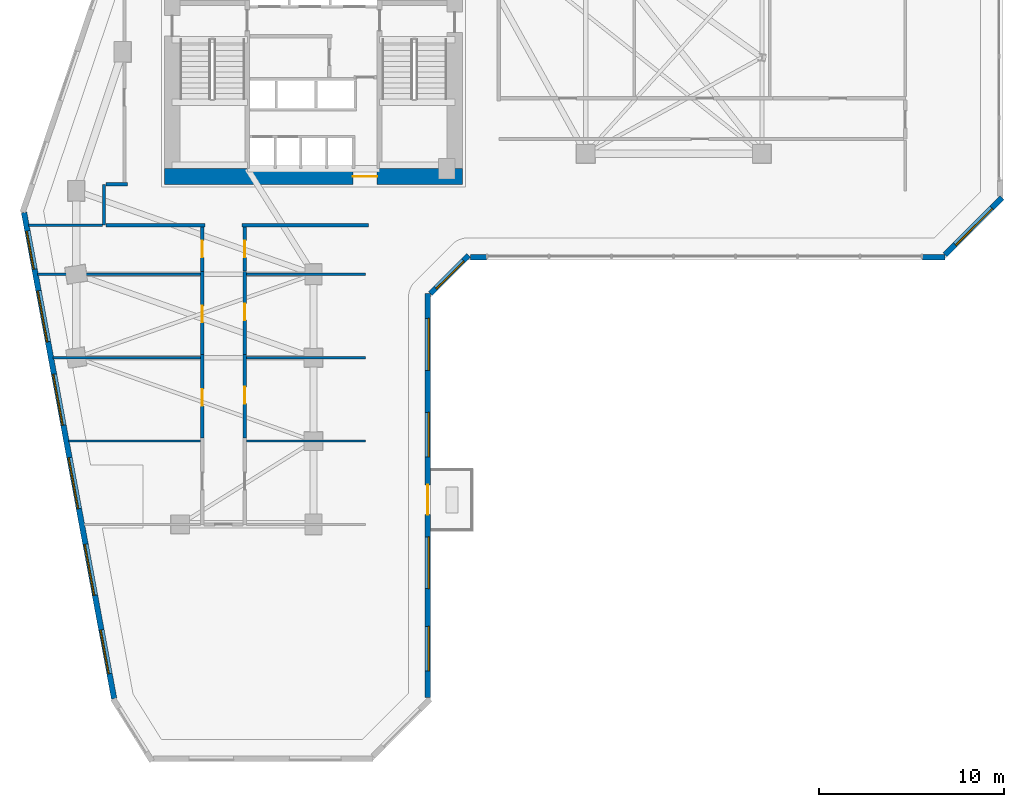
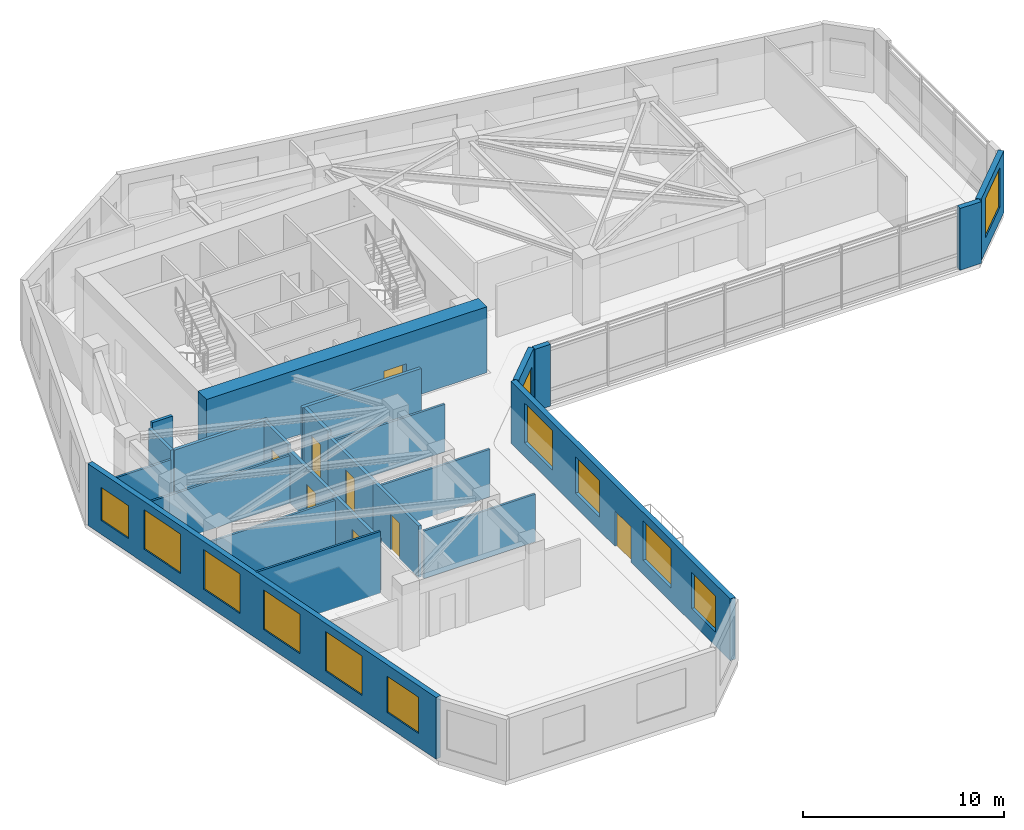
# One storey, part 6 of 11: 24 walls, 12 windows, 8 doors, 20 openings.
"""IFC4 building model written with IfcOpenShell, lengths in metres."""

from ifc_helpers import new_model, si_unit, direction, frame, frame_2d, origin, place, context, subcontext, project, spatial, rectangle, extrude, source, transform, mapped, material, layer, layer_set, type_object, element, fill, save


model = new_model("IFC4")

# Units and contexts
model_context = context("Model", 3, precision=1e-05, world=origin(), true_north=direction((0.0, 1.0)))
body_context = subcontext(model_context, "Body", "Model", "MODEL_VIEW")
ifc_project = project(units=[si_unit("LENGTHUNIT", "METRE"), si_unit("AREAUNIT", "SQUARE_METRE"), si_unit("VOLUMEUNIT", "CUBIC_METRE"), si_unit("PLANEANGLEUNIT", "RADIAN"), si_unit("MASSUNIT", "GRAM", prefix="KILO")], contexts=[model_context])

# Site, building, storey
site_placement = place(None, origin())
site = spatial("IfcSite", under=ifc_project, at=site_placement, CompositionType="ELEMENT")
building_placement = place(site_placement, origin())
building = spatial("IfcBuilding", under=site, at=building_placement, Name="Calvemar Wedge Station Tower", CompositionType="ELEMENT")
storey_placement = place(building_placement, frame((0.0, 0.0, 55.0)))
storey = spatial("IfcBuildingStorey", under=building, at=storey_placement, Name="L13", CompositionType="ELEMENT", Elevation=55.0)

# Wall, opening, door
ifc_material_1 = material(Name="Concrete C80", Category="concrete")
ifc_layer_1 = layer(ifc_material_1, 0.85009765625)
ifc_layer_set_1 = layer_set([ifc_layer_1], Name="Concrete C80")
wall_type_1 = type_object("IfcWallType", Name="SW-CORE-850", PredefinedType="SHEAR", material=ifc_layer_set_1)
wall_1_placement = place(storey_placement, frame((15.75, 33.77490234375, 0.0), z_axis=(0.0, 0.0, 1.0), x_axis=(1.0, 0.0, 0.0)))
wall_1 = element("IfcWall", 1, at=wall_1_placement, inside=storey, type_object=wall_type_1, Name="Storey L13 Core Shear Wall S", PredefinedType="SHEAR", context=body_context, shape_type="SweptSolid", body=[
    extrude(rectangle(XDim=16.10009765625, YDim=0.85009765625, at=frame_2d((8.050048828125, 0.0))), origin(), (0.0, 0.0, 1.0), 4.0),
])
shared_shape_1 = source(origin(), body_context, "Body", "SweptSolid", [
    extrude(rectangle(XDim=1.300048828125, YDim=2.14990234375, at=frame_2d((0.64990234375, 1.074951171875))), frame((0.0, 0.43505859375, 0.0), z_axis=(0.0, -1.0, 0.0), x_axis=(1.0, 0.0, 0.0)), (0.0, 0.0, 1.0), 0.8701171875),
])
opening_1_placement = place(wall_1_placement, frame((10.179931640625, 0.0, 0.0)))
opening_1 = element("IfcOpeningElement", 2, at=opening_1_placement, cuts=wall_1, Name="Opening DD-130", PredefinedType="OPENING", context=body_context, shape_type="MappedRepresentation", body=[
    mapped(shared_shape_1, transform((0.0, 0.0, 0.0), scale=1.0)),
])
ifc_material_2 = material(Name="Double-leaf lift lobby fire door EI 60")
door_type_1 = type_object("IfcDoorType", Name="DR-DBL-1300", OperationType="DOUBLE_DOOR_SINGLE_SWING", PredefinedType="DOOR", material=ifc_material_2)
shared_shape_2 = source(origin(), body_context, "Body", "SweptSolid", [
    extrude(rectangle(XDim=1.300048828125, YDim=2.14990234375, at=frame_2d((0.64990234375, 1.074951171875))), frame((0.0, 0.02490234375, 0.0), z_axis=(0.0, -1.0, 0.0), x_axis=(1.0, 0.0, 0.0)), (0.0, 0.0, 1.0), 0.050048828125),
])
door_1_placement = place(opening_1_placement, origin())
door_1 = element("IfcDoor", 3, at=door_1_placement, inside=storey, type_object=door_type_1, Name="L13 Passenger Lift Lobby Door", OperationType="DOUBLE_DOOR_SINGLE_SWING", OverallHeight=2.14990234375, OverallWidth=1.300048828125, PredefinedType="DOOR", context=body_context, shape_type="MappedRepresentation", body=[
    mapped(shared_shape_2, transform((0.0, 0.0, 0.0), scale=1.0)),
])
fill(opening_1, door_1)

# Walls
ifc_material_3 = material(Name="Double-stud fire-rated corridor partition")
ifc_layer_2 = layer(ifc_material_3, 0.179931640625)
ifc_layer_set_2 = layer_set([ifc_layer_2], Name="Double-stud fire-rated corridor partition")
wall_type_2 = type_object("IfcWallType", Name="W-CORR-180", PredefinedType="PARTITIONING", material=ifc_layer_set_2)
wall_2_placement = place(storey_placement, frame((12.5, 31.14990234375, 0.0), z_axis=(0.0, 0.0, 1.0), x_axis=(0.0, 1.0, 0.0)))
element("IfcWall", 4, at=wall_2_placement, inside=storey, type_object=wall_type_2, Name="Storey L13 Interior Partition WL-L13-004", PredefinedType="PARTITIONING", context=body_context, shape_type="SweptSolid", body=[
    extrude(rectangle(XDim=2.2001953125, YDim=0.179931640625, at=frame_2d((1.10009765625, 0.0))), origin(), (0.0, 0.0, 1.0), 3.4189453125),
])
wall_3_placement = place(storey_placement, frame((12.593994140625, 33.35009765625, 0.0), z_axis=(0.0, 0.0, 1.0), x_axis=(1.0, 0.0, 0.0)))
element("IfcWall", 5, at=wall_3_placement, inside=storey, type_object=wall_type_2, Name="Storey L13 Interior Partition WL-L13-005", PredefinedType="PARTITIONING", context=body_context, shape_type="SweptSolid", body=[
    extrude(rectangle(XDim=1.166015625, YDim=0.179931640625, at=frame_2d((0.5830078125, 0.0))), origin(), (0.0, 0.0, 1.0), 3.75),
])
wall_4_placement = place(storey_placement, frame((17.9599609375, 31.14990234375, 0.0), z_axis=(0.0, 0.0, 1.0), x_axis=(-1.0, 0.0, 0.0)))
element("IfcWall", 6, at=wall_4_placement, inside=storey, type_object=wall_type_2, Name="Storey L13 Interior Partition WL-L13-006", PredefinedType="PARTITIONING", context=body_context, shape_type="SweptSolid", body=[
    extrude(rectangle(XDim=5.365966796875, YDim=0.179931640625, at=frame_2d((2.68310546875, 0.0))), origin(), (0.0, 0.0, 1.0), 3.4189453125),
])
wall_5_placement = place(storey_placement, frame((26.760009765625, 31.14990234375, 0.0), z_axis=(0.0, 0.0, 1.0), x_axis=(-1.0, 0.0, 0.0)))
element("IfcWall", 7, at=wall_5_placement, inside=storey, type_object=wall_type_2, Name="Storey L13 Interior Partition WL-L13-007", PredefinedType="PARTITIONING", context=body_context, shape_type="SweptSolid", body=[
    extrude(rectangle(XDim=6.820068359375, YDim=0.179931640625, at=frame_2d((3.41015625, 0.0))), origin(), (0.0, 0.0, 1.0), 3.4189453125),
])

# Wall, opening, door
wall_6_placement = place(storey_placement, frame((17.800048828125, 19.662109375, 0.0), z_axis=(0.0, 0.0, 1.0), x_axis=(0.0, 1.0, 0.0)))
wall_6 = element("IfcWall", 8, at=wall_6_placement, inside=storey, type_object=wall_type_2, Name="Storey L13 Interior Partition WL-L13-029", PredefinedType="PARTITIONING", context=body_context, shape_type="SweptSolid", body=[
    extrude(rectangle(XDim=4.497802734375, YDim=0.179931640625, at=frame_2d((2.2490234375, 0.0))), origin(), (0.0, 0.0, 1.0), 3.125),
])
shared_shape_3 = source(origin(), body_context, "Body", "SweptSolid", [
    extrude(rectangle(XDim=0.89990234375, YDim=2.14990234375, at=frame_2d((0.449951171875, 1.074951171875))), frame((0.0, 0.10009765625, 0.0), z_axis=(0.0, -1.0, 0.0), x_axis=(1.0, 0.0, 0.0)), (0.0, 0.0, 1.0), 0.199951171875),
])
opening_2_placement = place(wall_6_placement, frame((1.73828125, 0.0, 0.0)))
opening_2 = element("IfcOpeningElement", 9, at=opening_2_placement, cuts=wall_6, Name="Opening D-01", PredefinedType="OPENING", context=body_context, shape_type="MappedRepresentation", body=[
    mapped(shared_shape_3, transform((0.0, 0.0, 0.0), scale=1.0)),
])
ifc_material_4 = material(Name="Architectural hardwood acoustic swing door", Category="wood")
door_type_2 = type_object("IfcDoorType", Name="DR-INT-900", OperationType="NOTDEFINED", PredefinedType="DOOR", material=ifc_material_4)
shared_shape_4 = source(origin(), body_context, "Body", "SweptSolid", [
    extrude(rectangle(XDim=0.89990234375, YDim=2.14990234375, at=frame_2d((0.449951171875, 1.074951171875))), frame((0.0, 0.02490234375, 0.0), z_axis=(0.0, -1.0, 0.0), x_axis=(1.0, 0.0, 0.0)), (0.0, 0.0, 1.0), 0.050048828125),
])
door_2_placement = place(opening_2_placement, origin())
door_2 = element("IfcDoor", 10, at=door_2_placement, inside=storey, type_object=door_type_2, Name="L13 Office Door", OperationType="SINGLE_SWING_RIGHT", OverallHeight=2.14990234375, OverallWidth=0.89990234375, PredefinedType="DOOR", context=body_context, shape_type="MappedRepresentation", body=[
    mapped(shared_shape_4, transform((0.0, 0.0, 0.0), scale=1.0)),
])
fill(opening_2, door_2)

wall_7_placement = place(storey_placement, frame((20.10009765625, 24.159912109375, 0.0), z_axis=(0.0, 0.0, 1.0), x_axis=(0.0, -1.0, 0.0)))
wall_7 = element("IfcWall", 11, at=wall_7_placement, inside=storey, type_object=wall_type_2, Name="Storey L13 Interior Partition WL-L13-030", PredefinedType="PARTITIONING", context=body_context, shape_type="SweptSolid", body=[
    extrude(rectangle(XDim=4.497802734375, YDim=0.179931640625, at=frame_2d((2.2490234375, 0.0))), origin(), (0.0, 0.0, 1.0), 3.125),
])
opening_3_placement = place(wall_7_placement, frame((1.73828125, 0.0, 0.0)))
opening_3 = element("IfcOpeningElement", 12, at=opening_3_placement, cuts=wall_7, Name="Opening D-01", PredefinedType="OPENING", context=body_context, shape_type="MappedRepresentation", body=[
    mapped(shared_shape_3, transform((0.0, 0.0, 0.0), scale=1.0)),
])
door_3_placement = place(opening_3_placement, origin())
door_3 = element("IfcDoor", 13, at=door_3_placement, inside=storey, type_object=door_type_2, Name="L13 Office Door", OperationType="SINGLE_SWING_LEFT", OverallHeight=2.14990234375, OverallWidth=0.89990234375, PredefinedType="DOOR", context=body_context, shape_type="MappedRepresentation", body=[
    mapped(shared_shape_4, transform((0.0, 0.0, 0.0), scale=1.0)),
])
fill(opening_3, door_3)

wall_8_placement = place(storey_placement, frame((17.800048828125, 24.162109375, 0.0), z_axis=(0.0, 0.0, 1.0), x_axis=(0.0, 1.0, 0.0)))
wall_8 = element("IfcWall", 14, at=wall_8_placement, inside=storey, type_object=wall_type_2, Name="Storey L13 Interior Partition WL-L13-031", PredefinedType="PARTITIONING", context=body_context, shape_type="SweptSolid", body=[
    extrude(rectangle(XDim=4.497802734375, YDim=0.179931640625, at=frame_2d((2.2490234375, 0.0))), origin(), (0.0, 0.0, 1.0), 3.125),
])
opening_4_placement = place(wall_8_placement, frame((1.73828125, 0.0, 0.0)))
opening_4 = element("IfcOpeningElement", 15, at=opening_4_placement, cuts=wall_8, Name="Opening D-01", PredefinedType="OPENING", context=body_context, shape_type="MappedRepresentation", body=[
    mapped(shared_shape_3, transform((0.0, 0.0, 0.0), scale=1.0)),
])
door_4_placement = place(opening_4_placement, origin())
door_4 = element("IfcDoor", 16, at=door_4_placement, inside=storey, type_object=door_type_2, Name="L13 Office Door", OperationType="SINGLE_SWING_RIGHT", OverallHeight=2.14990234375, OverallWidth=0.89990234375, PredefinedType="DOOR", context=body_context, shape_type="MappedRepresentation", body=[
    mapped(shared_shape_4, transform((0.0, 0.0, 0.0), scale=1.0)),
])
fill(opening_4, door_4)

wall_9_placement = place(storey_placement, frame((20.10009765625, 28.659912109375, 0.0), z_axis=(0.0, 0.0, 1.0), x_axis=(0.0, -1.0, 0.0)))
wall_9 = element("IfcWall", 17, at=wall_9_placement, inside=storey, type_object=wall_type_2, Name="Storey L13 Interior Partition WL-L13-032", PredefinedType="PARTITIONING", context=body_context, shape_type="SweptSolid", body=[
    extrude(rectangle(XDim=4.497802734375, YDim=0.179931640625, at=frame_2d((2.2490234375, 0.0))), origin(), (0.0, 0.0, 1.0), 3.125),
])
opening_5_placement = place(wall_9_placement, frame((1.73828125, 0.0, 0.0)))
opening_5 = element("IfcOpeningElement", 18, at=opening_5_placement, cuts=wall_9, Name="Opening D-01", PredefinedType="OPENING", context=body_context, shape_type="MappedRepresentation", body=[
    mapped(shared_shape_3, transform((0.0, 0.0, 0.0), scale=1.0)),
])
door_5_placement = place(opening_5_placement, origin())
door_5 = element("IfcDoor", 19, at=door_5_placement, inside=storey, type_object=door_type_2, Name="L13 Office Door", OperationType="SINGLE_SWING_LEFT", OverallHeight=2.14990234375, OverallWidth=0.89990234375, PredefinedType="DOOR", context=body_context, shape_type="MappedRepresentation", body=[
    mapped(shared_shape_4, transform((0.0, 0.0, 0.0), scale=1.0)),
])
fill(opening_5, door_5)

wall_10_placement = place(storey_placement, frame((17.800048828125, 28.662109375, 0.0), z_axis=(0.0, 0.0, 1.0), x_axis=(0.0, 1.0, 0.0)))
wall_10 = element("IfcWall", 20, at=wall_10_placement, inside=storey, type_object=wall_type_2, Name="Storey L13 Interior Partition WL-L13-033", PredefinedType="PARTITIONING", context=body_context, shape_type="SweptSolid", body=[
    extrude(rectangle(XDim=2.393798828125, YDim=0.179931640625, at=frame_2d((1.19677734375, 0.0))), origin(), (0.0, 0.0, 1.0), 3.4189453125),
])
opening_6_placement = place(wall_10_placement, frame((0.7470703125, 0.0, 0.0)))
opening_6 = element("IfcOpeningElement", 21, at=opening_6_placement, cuts=wall_10, Name="Opening D-01", PredefinedType="OPENING", context=body_context, shape_type="MappedRepresentation", body=[
    mapped(shared_shape_3, transform((0.0, 0.0, 0.0), scale=1.0)),
])
door_6_placement = place(opening_6_placement, origin())
door_6 = element("IfcDoor", 22, at=door_6_placement, inside=storey, type_object=door_type_2, Name="L13 Office Door", OperationType="SINGLE_SWING_RIGHT", OverallHeight=2.14990234375, OverallWidth=0.89990234375, PredefinedType="DOOR", context=body_context, shape_type="MappedRepresentation", body=[
    mapped(shared_shape_4, transform((0.0, 0.0, 0.0), scale=1.0)),
])
fill(opening_6, door_6)

wall_11_placement = place(storey_placement, frame((20.10009765625, 31.055908203125, 0.0), z_axis=(0.0, 0.0, 1.0), x_axis=(0.0, -1.0, 0.0)))
wall_11 = element("IfcWall", 23, at=wall_11_placement, inside=storey, type_object=wall_type_2, Name="Storey L13 Interior Partition WL-L13-034", PredefinedType="PARTITIONING", context=body_context, shape_type="SweptSolid", body=[
    extrude(rectangle(XDim=2.393798828125, YDim=0.179931640625, at=frame_2d((1.19677734375, 0.0))), origin(), (0.0, 0.0, 1.0), 3.4189453125),
])
opening_7_placement = place(wall_11_placement, frame((0.7470703125, 0.0, 0.0)))
opening_7 = element("IfcOpeningElement", 24, at=opening_7_placement, cuts=wall_11, Name="Opening D-01", PredefinedType="OPENING", context=body_context, shape_type="MappedRepresentation", body=[
    mapped(shared_shape_3, transform((0.0, 0.0, 0.0), scale=1.0)),
])
door_7_placement = place(opening_7_placement, origin())
door_7 = element("IfcDoor", 25, at=door_7_placement, inside=storey, type_object=door_type_2, Name="L13 Office Door", OperationType="SINGLE_SWING_LEFT", OverallHeight=2.14990234375, OverallWidth=0.89990234375, PredefinedType="DOOR", context=body_context, shape_type="MappedRepresentation", body=[
    mapped(shared_shape_4, transform((0.0, 0.0, 0.0), scale=1.0)),
])
fill(opening_7, door_7)

# Wall, openings, windows, door
ifc_material_5 = material(Name="Precast concrete C45", Category="concrete")
ifc_layer_3 = layer(ifc_material_5, 0.300048828125)
ifc_layer_set_3 = layer_set([ifc_layer_3], Name="Precast concrete C45")
wall_type_3 = type_object("IfcWallType", Name="W-EXT-GFRC-300", PredefinedType="SOLIDWALL", material=ifc_layer_set_3)
wall_12_placement = place(storey_placement, frame((29.97802734375, 5.6572265625, 0.0), z_axis=(0.0, 0.0, 1.0), x_axis=(0.0, 1.0, 0.0)))
wall_12 = element("IfcWall", 26, at=wall_12_placement, inside=storey, type_object=wall_type_3, Name="Storey L13 Bronze GFRC Exterior Wall 4", PredefinedType="SOLIDWALL", context=body_context, shape_type="SweptSolid", body=[
    extrude(rectangle(XDim=21.81494140625, YDim=0.300048828125, at=frame_2d((10.907470703125, 0.0))), origin(), (0.0, 0.0, 1.0), 3.75),
])
shared_shape_5 = source(origin(), body_context, "Body", "SweptSolid", [
    extrude(rectangle(XDim=1.60009765625, YDim=2.14990234375, at=frame_2d((0.800048828125, 1.074951171875))), frame((0.0, 0.16015625, 0.0), z_axis=(0.0, -1.0, 0.0), x_axis=(1.0, 0.0, 0.0)), (0.0, 0.0, 1.0), 0.320068359375),
])
opening_8_placement = place(wall_12_placement, frame((9.873046875, 0.0, 0.0)))
opening_8 = element("IfcOpeningElement", 27, at=opening_8_placement, cuts=wall_12, Name="Opening DT1", PredefinedType="OPENING", context=body_context, shape_type="MappedRepresentation", body=[
    mapped(shared_shape_5, transform((0.0, 0.0, 0.0), scale=1.0)),
])
shared_shape_6 = source(origin(), body_context, "Body", "SweptSolid", [
    extrude(rectangle(XDim=2.39990234375, YDim=2.199951171875, at=frame_2d((1.199951171875, 1.10009765625))), frame((0.0, 0.16015625, 0.0), z_axis=(0.0, -1.0, 0.0), x_axis=(1.0, 0.0, 0.0)), (0.0, 0.0, 1.0), 0.320068359375),
])
opening_9_placement = place(wall_12_placement, frame((1.43798828125, 0.0, 0.85009765625)))
opening_9 = element("IfcOpeningElement", 28, at=opening_9_placement, cuts=wall_12, Name="Opening W1", PredefinedType="OPENING", context=body_context, shape_type="MappedRepresentation", body=[
    mapped(shared_shape_6, transform((0.0, 0.0, 0.0), scale=1.0)),
])
shared_shape_7 = source(origin(), body_context, "Body", "SweptSolid", [
    extrude(rectangle(XDim=2.800048828125, YDim=2.39990234375, at=frame_2d((1.39990234375, 1.199951171875))), frame((0.0, 0.16015625, 0.0), z_axis=(0.0, -1.0, 0.0), x_axis=(1.0, 0.0, 0.0)), (0.0, 0.0, 1.0), 0.320068359375),
])
opening_10_placement = place(wall_12_placement, frame((5.875, 0.0, 0.85009765625)))
opening_10 = element("IfcOpeningElement", 29, at=opening_10_placement, cuts=wall_12, Name="Opening W6", PredefinedType="OPENING", context=body_context, shape_type="MappedRepresentation", body=[
    mapped(shared_shape_7, transform((0.0, 0.0, 0.0), scale=1.0)),
])
opening_11_placement = place(wall_12_placement, frame((12.988037109375, 0.0, 0.85009765625)))
opening_11 = element("IfcOpeningElement", 30, at=opening_11_placement, cuts=wall_12, Name="Opening W1", PredefinedType="OPENING", context=body_context, shape_type="MappedRepresentation", body=[
    mapped(shared_shape_6, transform((0.0, 0.0, 0.0), scale=1.0)),
])
opening_12_placement = place(wall_12_placement, frame((17.658935546875, 0.0, 0.85009765625)))
opening_12 = element("IfcOpeningElement", 31, at=opening_12_placement, cuts=wall_12, Name="Opening W6", PredefinedType="OPENING", context=body_context, shape_type="MappedRepresentation", body=[
    mapped(shared_shape_7, transform((0.0, 0.0, 0.0), scale=1.0)),
])
ifc_material_6 = material(Name="Low-E laminated insulated glass", Category="glass")
window_type_1 = type_object("IfcWindowType", Name="WIN-EXT-6", PartitioningType="SINGLE_PANEL", PredefinedType="WINDOW", material=ifc_material_6)
shared_shape_8 = source(origin(), body_context, "Body", "SweptSolid", [
    extrude(rectangle(XDim=2.800048828125, YDim=2.39990234375, at=frame_2d((1.39990234375, 1.199951171875))), frame((0.0, -0.014892578125, 0.0), z_axis=(0.0, -1.0, 0.0), x_axis=(1.0, 0.0, 0.0)), (0.0, 0.0, 1.0), 0.06005859375),
])
window_1_placement = place(opening_10_placement, origin())
window_1 = element("IfcWindow", 32, at=window_1_placement, inside=storey, type_object=window_type_1, Name="Storey L13 Recessed Window 4.2", OverallHeight=2.39990234375, OverallWidth=2.800048828125, PartitioningType="SINGLE_PANEL", PredefinedType="WINDOW", context=body_context, shape_type="MappedRepresentation", body=[
    mapped(shared_shape_8, transform((0.0, 0.0, 0.0), scale=1.0)),
])
fill(opening_10, window_1)
window_2_placement = place(opening_12_placement, origin())
window_2 = element("IfcWindow", 33, at=window_2_placement, inside=storey, type_object=window_type_1, Name="Storey L13 Recessed Window 4.4", OverallHeight=2.39990234375, OverallWidth=2.800048828125, PartitioningType="SINGLE_PANEL", PredefinedType="WINDOW", context=body_context, shape_type="MappedRepresentation", body=[
    mapped(shared_shape_8, transform((0.0, 0.0, 0.0), scale=1.0)),
])
fill(opening_12, window_2)
window_type_2 = type_object("IfcWindowType", Name="WIN-EXT-1", PartitioningType="SINGLE_PANEL", PredefinedType="WINDOW", material=ifc_material_6)
shared_shape_9 = source(origin(), body_context, "Body", "SweptSolid", [
    extrude(rectangle(XDim=2.39990234375, YDim=2.199951171875, at=frame_2d((1.199951171875, 1.10009765625))), frame((0.0, -0.014892578125, 0.0), z_axis=(0.0, -1.0, 0.0), x_axis=(1.0, 0.0, 0.0)), (0.0, 0.0, 1.0), 0.06005859375),
])
window_3_placement = place(opening_9_placement, origin())
window_3 = element("IfcWindow", 34, at=window_3_placement, inside=storey, type_object=window_type_2, Name="Storey L13 Recessed Window 4.1", OverallHeight=2.199951171875, OverallWidth=2.39990234375, PartitioningType="SINGLE_PANEL", PredefinedType="WINDOW", context=body_context, shape_type="MappedRepresentation", body=[
    mapped(shared_shape_9, transform((0.0, 0.0, 0.0), scale=1.0)),
])
fill(opening_9, window_3)
window_4_placement = place(opening_11_placement, origin())
window_4 = element("IfcWindow", 35, at=window_4_placement, inside=storey, type_object=window_type_2, Name="Storey L13 Recessed Window 4.3", OverallHeight=2.199951171875, OverallWidth=2.39990234375, PartitioningType="SINGLE_PANEL", PredefinedType="WINDOW", context=body_context, shape_type="MappedRepresentation", body=[
    mapped(shared_shape_9, transform((0.0, 0.0, 0.0), scale=1.0)),
])
fill(opening_11, window_4)
ifc_material_7 = material(Name="Anodised aluminium 6063-T6", Category="aluminium")
door_type_3 = type_object("IfcDoorType", Name="DR-TERR-1600", OperationType="DOUBLE_DOOR_SLIDING", PredefinedType="DOOR", material=ifc_material_7)
shared_shape_10 = source(origin(), body_context, "Body", "SweptSolid", [
    extrude(rectangle(XDim=1.60009765625, YDim=2.14990234375, at=frame_2d((0.800048828125, 1.074951171875))), frame((0.0, 0.02490234375, 0.0), z_axis=(0.0, -1.0, 0.0), x_axis=(1.0, 0.0, 0.0)), (0.0, 0.0, 1.0), 0.050048828125),
])
door_8_placement = place(opening_8_placement, origin())
door_8 = element("IfcDoor", 36, at=door_8_placement, inside=storey, type_object=door_type_3, Name="Storey L13 Spiral Terrace Door", OperationType="DOUBLE_DOOR_SLIDING", OverallHeight=2.14990234375, OverallWidth=1.60009765625, PredefinedType="DOOR", context=body_context, shape_type="MappedRepresentation", body=[
    mapped(shared_shape_10, transform((0.0, 0.0, 0.0), scale=1.0)),
])
fill(opening_8, door_8)

# Wall, opening, window
wall_13_placement = place(storey_placement, frame((30.115966796875, 27.460205078125, 0.0), z_axis=(0.0, 0.0, 1.0), x_axis=(0.707106781187, 0.707106781187, 0.0)))
wall_13 = element("IfcWall", 37, at=wall_13_placement, inside=storey, type_object=wall_type_3, Name="Storey L13 Bronze GFRC Exterior Wall 5", PredefinedType="SOLIDWALL", context=body_context, shape_type="SweptSolid", body=[
    extrude(rectangle(XDim=2.907470703125, YDim=0.300048828125, at=frame_2d((1.45361328125, 0.0))), origin(), (0.0, 0.0, 1.0), 3.75),
])
shared_shape_11 = source(origin(), body_context, "Body", "SweptSolid", [
    extrude(rectangle(XDim=2.10009765625, YDim=2.0, at=frame_2d((1.050048828125, 1.0))), frame((0.0, 0.16015625, 0.0), z_axis=(0.0, -1.0, 0.0), x_axis=(1.0, 0.0, 0.0)), (0.0, 0.0, 1.0), 0.320068359375),
])
opening_13_placement = place(wall_13_placement, frame((0.404052734375, 0.0, 0.85009765625)))
opening_13 = element("IfcOpeningElement", 38, at=opening_13_placement, cuts=wall_13, Name="Opening W4", PredefinedType="OPENING", context=body_context, shape_type="MappedRepresentation", body=[
    mapped(shared_shape_11, transform((0.0, 0.0, 0.0), scale=1.0)),
])
window_type_3 = type_object("IfcWindowType", Name="WIN-EXT-4", PartitioningType="SINGLE_PANEL", PredefinedType="WINDOW", material=ifc_material_6)
shared_shape_12 = source(origin(), body_context, "Body", "SweptSolid", [
    extrude(rectangle(XDim=2.10009765625, YDim=2.0, at=frame_2d((1.050048828125, 1.0))), frame((0.0, -0.014892578125, 0.0), z_axis=(0.0, -1.0, 0.0), x_axis=(1.0, 0.0, 0.0)), (0.0, 0.0, 1.0), 0.06005859375),
])
window_5_placement = place(opening_13_placement, origin())
window_5 = element("IfcWindow", 39, at=window_5_placement, inside=storey, type_object=window_type_3, Name="Storey L13 Recessed Window 5.1", OverallHeight=2.0, OverallWidth=2.10009765625, PartitioningType="SINGLE_PANEL", PredefinedType="WINDOW", context=body_context, shape_type="MappedRepresentation", body=[
    mapped(shared_shape_12, transform((0.0, 0.0, 0.0), scale=1.0)),
])
fill(opening_13, window_5)

# Walls
wall_14_placement = place(storey_placement, frame((32.260986328125, 29.409912109375, 0.0), z_axis=(0.0, 0.0, 1.0), x_axis=(1.0, 0.0, 0.0)))
element("IfcWall", 40, at=wall_14_placement, inside=storey, type_object=wall_type_3, Name="Storey L13 Bronze GFRC Corner Pier 6A", PredefinedType="SOLIDWALL", context=body_context, shape_type="SweptSolid", body=[
    extrude(rectangle(XDim=0.8798828125, YDim=0.300048828125, at=frame_2d((0.43994140625, 0.0))), origin(), (0.0, 0.0, 1.0), 3.75),
])
wall_15_placement = place(storey_placement, frame((56.662841796875, 29.409912109375, 0.0), z_axis=(0.0, 0.0, 1.0), x_axis=(1.0, 0.0, 0.0)))
element("IfcWall", 41, at=wall_15_placement, inside=storey, type_object=wall_type_3, Name="Storey L13 Bronze GFRC Corner Pier 6B", PredefinedType="SOLIDWALL", context=body_context, shape_type="SweptSolid", body=[
    extrude(rectangle(XDim=1.22509765625, YDim=0.300048828125, at=frame_2d((0.612548828125, 0.0))), origin(), (0.0, 0.0, 1.0), 3.75),
])

# Wall, opening, window
wall_16_placement = place(storey_placement, frame((57.8759765625, 29.548095703125, 0.0), z_axis=(0.0, 0.0, 1.0), x_axis=(0.707106781187, 0.707106781187, 0.0)))
wall_16 = element("IfcWall", 42, at=wall_16_placement, inside=storey, type_object=wall_type_3, Name="Storey L13 Bronze GFRC Exterior Wall 7", PredefinedType="SOLIDWALL", context=body_context, shape_type="SweptSolid", body=[
    extrude(rectangle(XDim=4.35595703125, YDim=0.300048828125, at=frame_2d((2.177978515625, 0.0))), origin(), (0.0, 0.0, 1.0), 3.75),
])
opening_14_placement = place(wall_16_placement, frame((0.778076171875, 0.0, 0.85009765625)))
opening_14 = element("IfcOpeningElement", 43, at=opening_14_placement, cuts=wall_16, Name="Opening W6", PredefinedType="OPENING", context=body_context, shape_type="MappedRepresentation", body=[
    mapped(shared_shape_7, transform((0.0, 0.0, 0.0), scale=1.0)),
])
window_6_placement = place(opening_14_placement, origin())
window_6 = element("IfcWindow", 44, at=window_6_placement, inside=storey, type_object=window_type_1, Name="Storey L13 Recessed Window 7.1", OverallHeight=2.39990234375, OverallWidth=2.800048828125, PartitioningType="SINGLE_PANEL", PredefinedType="WINDOW", context=body_context, shape_type="MappedRepresentation", body=[
    mapped(shared_shape_8, transform((0.0, 0.0, 0.0), scale=1.0)),
])
fill(opening_14, window_6)

# Wall, openings, windows
wall_17_placement = place(storey_placement, frame((8.183349609375, 31.83349609375, 0.0), z_axis=(0.0, 0.0, 1.0), x_axis=(0.18216364648, -0.983268226834, 0.0)))
wall_17 = element("IfcWall", 45, at=wall_17_placement, inside=storey, type_object=wall_type_3, Name="Storey L13 Bronze GFRC Exterior Wall 13", PredefinedType="SOLIDWALL", context=body_context, shape_type="SweptSolid", body=[
    extrude(rectangle(XDim=26.678466796875, YDim=0.300048828125, at=frame_2d((13.33935546875, 0.0))), origin(), (0.0, 0.0, 1.0), 3.75),
])
opening_15_placement = place(wall_17_placement, frame((1.013916015625, 0.0, 0.85009765625)))
opening_15 = element("IfcOpeningElement", 46, at=opening_15_placement, cuts=wall_17, Name="Opening W4", PredefinedType="OPENING", context=body_context, shape_type="MappedRepresentation", body=[
    mapped(shared_shape_11, transform((0.0, 0.0, 0.0), scale=1.0)),
])
opening_16_placement = place(wall_17_placement, frame((4.300048828125, 0.0, 0.85009765625)))
opening_16 = element("IfcOpeningElement", 47, at=opening_16_placement, cuts=wall_17, Name="Opening W6", PredefinedType="OPENING", context=body_context, shape_type="MappedRepresentation", body=[
    mapped(shared_shape_7, transform((0.0, 0.0, 0.0), scale=1.0)),
])
opening_17_placement = place(wall_17_placement, frame((8.8759765625, 0.0, 0.85009765625)))
opening_17 = element("IfcOpeningElement", 48, at=opening_17_placement, cuts=wall_17, Name="Opening W6", PredefinedType="OPENING", context=body_context, shape_type="MappedRepresentation", body=[
    mapped(shared_shape_7, transform((0.0, 0.0, 0.0), scale=1.0)),
])
opening_18_placement = place(wall_17_placement, frame((13.452880859375, 0.0, 0.85009765625)))
opening_18 = element("IfcOpeningElement", 49, at=opening_18_placement, cuts=wall_17, Name="Opening W6", PredefinedType="OPENING", context=body_context, shape_type="MappedRepresentation", body=[
    mapped(shared_shape_7, transform((0.0, 0.0, 0.0), scale=1.0)),
])
opening_19_placement = place(wall_17_placement, frame((18.2109375, 0.0, 0.85009765625)))
opening_19 = element("IfcOpeningElement", 50, at=opening_19_placement, cuts=wall_17, Name="Opening W6", PredefinedType="OPENING", context=body_context, shape_type="MappedRepresentation", body=[
    mapped(shared_shape_7, transform((0.0, 0.0, 0.0), scale=1.0)),
])
opening_20_placement = place(wall_17_placement, frame((22.908935546875, 0.0, 0.85009765625)))
opening_20 = element("IfcOpeningElement", 51, at=opening_20_placement, cuts=wall_17, Name="Opening W1", PredefinedType="OPENING", context=body_context, shape_type="MappedRepresentation", body=[
    mapped(shared_shape_6, transform((0.0, 0.0, 0.0), scale=1.0)),
])
window_7_placement = place(opening_15_placement, origin())
window_7 = element("IfcWindow", 52, at=window_7_placement, inside=storey, type_object=window_type_3, Name="Storey L13 Recessed Window 13.1", OverallHeight=2.0, OverallWidth=2.10009765625, PartitioningType="SINGLE_PANEL", PredefinedType="WINDOW", context=body_context, shape_type="MappedRepresentation", body=[
    mapped(shared_shape_12, transform((0.0, 0.0, 0.0), scale=1.0)),
])
fill(opening_15, window_7)
window_8_placement = place(opening_16_placement, origin())
window_8 = element("IfcWindow", 53, at=window_8_placement, inside=storey, type_object=window_type_1, Name="Storey L13 Recessed Window 13.2", OverallHeight=2.39990234375, OverallWidth=2.800048828125, PartitioningType="SINGLE_PANEL", PredefinedType="WINDOW", context=body_context, shape_type="MappedRepresentation", body=[
    mapped(shared_shape_8, transform((0.0, 0.0, 0.0), scale=1.0)),
])
fill(opening_16, window_8)
window_9_placement = place(opening_17_placement, origin())
window_9 = element("IfcWindow", 54, at=window_9_placement, inside=storey, type_object=window_type_1, Name="Storey L13 Recessed Window 13.3", OverallHeight=2.39990234375, OverallWidth=2.800048828125, PartitioningType="SINGLE_PANEL", PredefinedType="WINDOW", context=body_context, shape_type="MappedRepresentation", body=[
    mapped(shared_shape_8, transform((0.0, 0.0, 0.0), scale=1.0)),
])
fill(opening_17, window_9)
window_10_placement = place(opening_18_placement, origin())
window_10 = element("IfcWindow", 55, at=window_10_placement, inside=storey, type_object=window_type_1, Name="Storey L13 Recessed Window 13.4", OverallHeight=2.39990234375, OverallWidth=2.800048828125, PartitioningType="SINGLE_PANEL", PredefinedType="WINDOW", context=body_context, shape_type="MappedRepresentation", body=[
    mapped(shared_shape_8, transform((0.0, 0.0, 0.0), scale=1.0)),
])
fill(opening_18, window_10)
window_11_placement = place(opening_19_placement, origin())
window_11 = element("IfcWindow", 56, at=window_11_placement, inside=storey, type_object=window_type_1, Name="Storey L13 Recessed Window 13.5", OverallHeight=2.39990234375, OverallWidth=2.800048828125, PartitioningType="SINGLE_PANEL", PredefinedType="WINDOW", context=body_context, shape_type="MappedRepresentation", body=[
    mapped(shared_shape_8, transform((0.0, 0.0, 0.0), scale=1.0)),
])
fill(opening_19, window_11)
window_12_placement = place(opening_20_placement, origin())
window_12 = element("IfcWindow", 57, at=window_12_placement, inside=storey, type_object=window_type_2, Name="Storey L13 Recessed Window 13.6", OverallHeight=2.199951171875, OverallWidth=2.39990234375, PartitioningType="SINGLE_PANEL", PredefinedType="WINDOW", context=body_context, shape_type="MappedRepresentation", body=[
    mapped(shared_shape_9, transform((0.0, 0.0, 0.0), scale=1.0)),
])
fill(opening_20, window_12)

# Walls
ifc_material_8 = material(Name="Insulated acoustic gypsum stud partition")
ifc_layer_4 = layer(ifc_material_8, 0.125)
ifc_layer_set_4 = layer_set([ifc_layer_4], Name="Insulated acoustic gypsum stud partition")
wall_type_4 = type_object("IfcWallType", Name="W-PART-125", PredefinedType="PARTITIONING", material=ifc_layer_set_4)
wall_18_placement = place(storey_placement, frame((12.406005859375, 31.14990234375, 0.0), z_axis=(0.0, 0.0, 1.0), x_axis=(-1.0, 0.0, 0.0)))
element("IfcWall", 58, at=wall_18_placement, inside=storey, type_object=wall_type_4, Name="Storey L13 Interior Partition WL-L13-015", PredefinedType="PARTITIONING", context=body_context, shape_type="SweptSolid", body=[
    extrude(rectangle(XDim=3.97900390625, YDim=0.125, at=frame_2d((1.989501953125, 0.0))), origin(), (0.0, 0.0, 1.0), 2.89208984375),
])
wall_19_placement = place(storey_placement, frame((10.585205078125, 19.5, 0.0), z_axis=(0.0, 0.0, 1.0), x_axis=(1.0, 0.0, 0.0)))
element("IfcWall", 59, at=wall_19_placement, inside=storey, type_object=wall_type_4, Name="Storey L13 Interior Partition WL-L13-036", PredefinedType="PARTITIONING", context=body_context, shape_type="SweptSolid", body=[
    extrude(rectangle(XDim=7.120849609375, YDim=0.125, at=frame_2d((3.560546875, 0.0))), origin(), (0.0, 0.0, 1.0), 3.75),
])
wall_20_placement = place(storey_placement, frame((20.194091796875, 19.5, 0.0), z_axis=(0.0, 0.0, 1.0), x_axis=(1.0, 0.0, 0.0)))
element("IfcWall", 60, at=wall_20_placement, inside=storey, type_object=wall_type_4, Name="Storey L13 Interior Partition WL-L13-038", PredefinedType="PARTITIONING", context=body_context, shape_type="SweptSolid", body=[
    extrude(rectangle(XDim=6.406005859375, YDim=0.125, at=frame_2d((3.203125, 0.0))), origin(), (0.0, 0.0, 1.0), 2.89208984375),
])
wall_21_placement = place(storey_placement, frame((9.751708984375, 24.0, 0.0), z_axis=(0.0, 0.0, 1.0), x_axis=(1.0, 0.0, 0.0)))
element("IfcWall", 61, at=wall_21_placement, inside=storey, type_object=wall_type_4, Name="Storey L13 Interior Partition WL-L13-040", PredefinedType="PARTITIONING", context=body_context, shape_type="SweptSolid", body=[
    extrude(rectangle(XDim=7.954345703125, YDim=0.125, at=frame_2d((3.97705078125, 0.0))), origin(), (0.0, 0.0, 1.0), 2.89208984375),
])
wall_22_placement = place(storey_placement, frame((20.194091796875, 24.0, 0.0), z_axis=(0.0, 0.0, 1.0), x_axis=(1.0, 0.0, 0.0)))
element("IfcWall", 62, at=wall_22_placement, inside=storey, type_object=wall_type_4, Name="Storey L13 Interior Partition WL-L13-041", PredefinedType="PARTITIONING", context=body_context, shape_type="SweptSolid", body=[
    extrude(rectangle(XDim=6.406005859375, YDim=0.125, at=frame_2d((3.203125, 0.0))), origin(), (0.0, 0.0, 1.0), 2.89208984375),
])
wall_23_placement = place(storey_placement, frame((8.91796875, 28.5, 0.0), z_axis=(0.0, 0.0, 1.0), x_axis=(1.0, 0.0, 0.0)))
element("IfcWall", 63, at=wall_23_placement, inside=storey, type_object=wall_type_4, Name="Storey L13 Interior Partition WL-L13-042", PredefinedType="PARTITIONING", context=body_context, shape_type="SweptSolid", body=[
    extrude(rectangle(XDim=8.7880859375, YDim=0.125, at=frame_2d((4.39404296875, 0.0))), origin(), (0.0, 0.0, 1.0), 2.89208984375),
])
wall_24_placement = place(storey_placement, frame((20.194091796875, 28.5, 0.0), z_axis=(0.0, 0.0, 1.0), x_axis=(1.0, 0.0, 0.0)))
element("IfcWall", 64, at=wall_24_placement, inside=storey, type_object=wall_type_4, Name="Storey L13 Interior Partition WL-L13-043", PredefinedType="PARTITIONING", context=body_context, shape_type="SweptSolid", body=[
    extrude(rectangle(XDim=6.406005859375, YDim=0.125, at=frame_2d((3.203125, 0.0))), origin(), (0.0, 0.0, 1.0), 2.89208984375),
])

save(model, "model.ifc")
